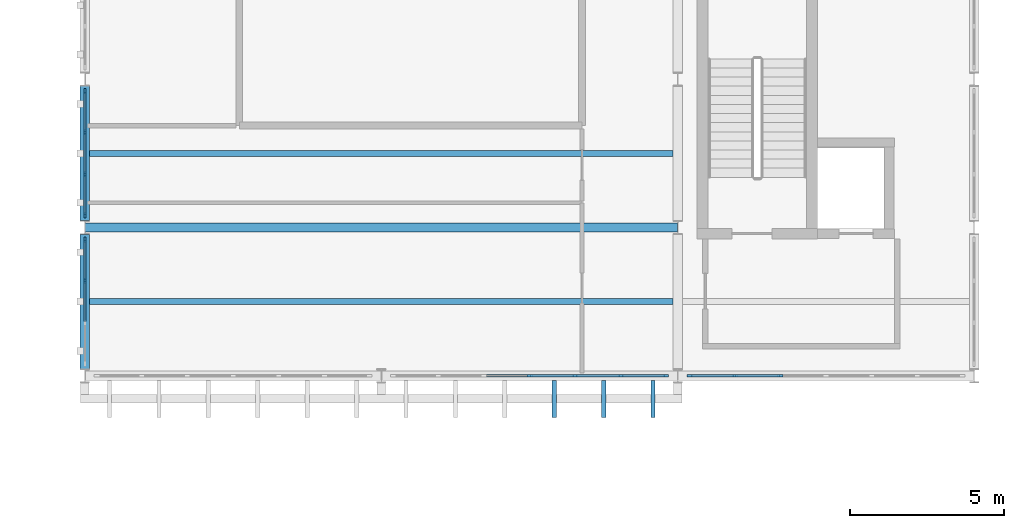
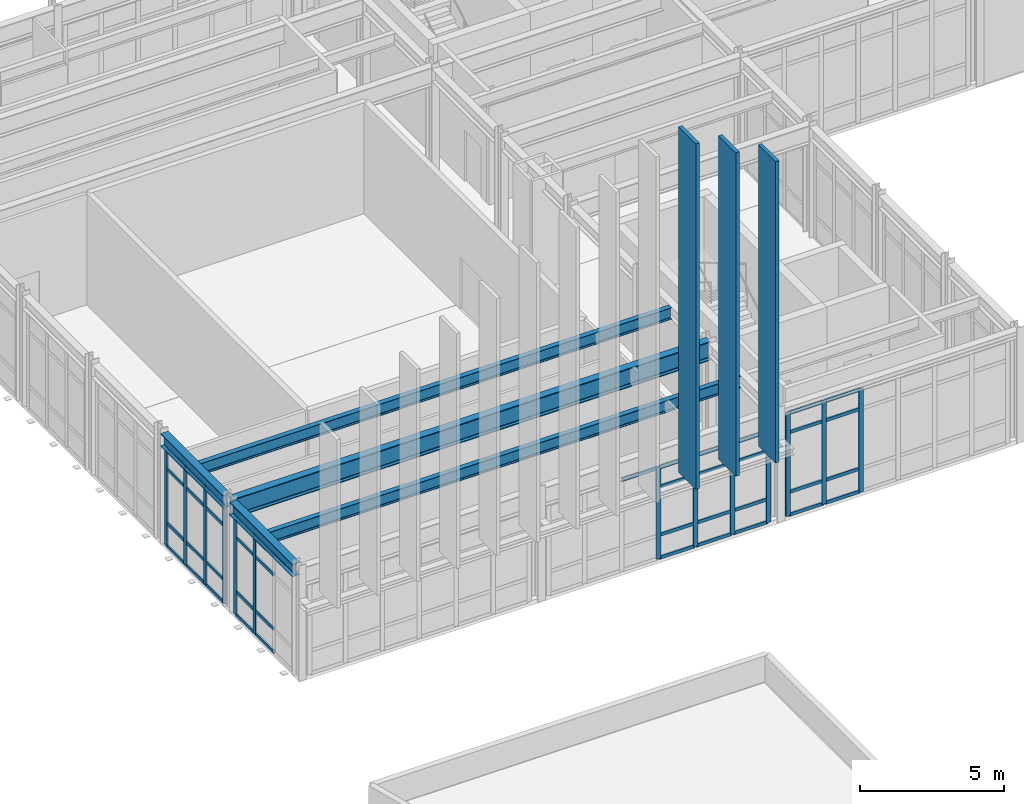
# One storey, part 4 of 28: 57 members, 5 beams, 4 elements without a shape of their own.
"""IFC4 building model written with IfcOpenShell, lengths in metres."""

from ifc_helpers import new_model, si_unit, direction, frame, origin, origin_2d, place, context, subcontext, project, spatial, rectangle, i_section, extrude, material, layer, layer_set, material_profile, profile_set, type_object, element, aggregate, save


model = new_model("IFC4")

# Units and contexts
model_context = context("Model", 3, precision=1e-05, world=origin(), true_north=direction((0.0, 1.0)))
body_context = subcontext(model_context, "Body", "Model", "MODEL_VIEW")
ifc_project = project(units=[si_unit("LENGTHUNIT", "METRE"), si_unit("AREAUNIT", "SQUARE_METRE"), si_unit("VOLUMEUNIT", "CUBIC_METRE"), si_unit("PLANEANGLEUNIT", "RADIAN"), si_unit("MASSUNIT", "GRAM", prefix="KILO")], contexts=[model_context])

# Site, building, storey
site_placement = place(None, origin())
site = spatial("IfcSite", under=ifc_project, at=site_placement, CompositionType="ELEMENT")
building_placement = place(site_placement, origin())
building = spatial("IfcBuilding", under=site, at=building_placement, Name="Nordkorset Police Headquarters", CompositionType="ELEMENT")
storey_placement = place(building_placement, frame((0.0, 0.0, 26.25)))
storey = spatial("IfcBuildingStorey", under=building, at=storey_placement, Name="L06", CompositionType="ELEMENT", Elevation=26.25)

# Beams
ifc_material_1 = material(Name="Steel S355J2", Category="steel")
ifc_material_profile_1 = material_profile(ifc_material_1, i_section(OverallWidth=0.199951171875, OverallDepth=0.5, WebThickness=0.01025390625, FlangeThickness=0.01611328125, FilletRadius=0.02099609375, at=origin_2d()), Name="IPE 500")
ifc_profile_set_1 = profile_set([ifc_material_profile_1], Name="Steel S355J2")
beam_type_1 = type_object("IfcBeamType", Name="Beam_IPE_500", PredefinedType="BEAM", material=ifc_profile_set_1)
for number, where, z_axis, x_axis, name in (
    (1, (0.14990234375, 85.60009765625, 4.4599609375), (1.0, 0.0, 0.0), (0.0, 1.0, 0.0), "Composite Floor Beam V1 L06 0-0-1"),
    (2, (0.14990234375, 90.39990234375, 4.4599609375), (1.0, 0.0, 0.0), (0.0, 1.0, 0.0), "Composite Floor Beam V1 L06 0-1-1"),
):
    element("IfcBeam", number, at=place(storey_placement, frame(where, z_axis=z_axis, x_axis=x_axis)), inside=storey, type_object=beam_type_1, Name=name, PredefinedType="BEAM", context=body_context, shape_type="SweptSolid", body=[
        extrude(i_section(OverallWidth=0.199951171875, OverallDepth=0.5, WebThickness=0.01025390625, FlangeThickness=0.01611328125, FilletRadius=0.02099609375, at=origin_2d()), origin(), (0.0, 0.0, 1.0), 18.900146484375),
    ])

# Curtain wall, members
ifc_material_2 = material(Name="Aluminium alloy AW-6060", Category="aluminium")
ifc_layer_1 = layer(ifc_material_2, 0.179931640625, Name="Aluminium alloy AW-6060")
ifc_layer_set_1 = layer_set([ifc_layer_1], Name="Aluminium alloy AW-6060")
curtain_wall_type_1 = type_object("IfcCurtainWallType", Name="CW_Unit_408x415", PredefinedType="USERDEFINED", material=ifc_layer_set_1)
curtain_wall_1_placement = place(storey_placement, origin())
curtain_wall_1 = element("IfcCurtainWall", 3, at=curtain_wall_1_placement, inside=storey, type_object=curtain_wall_type_1, Name="Unitised Curtain Wall L06 V1W-0", ObjectType="UNITISED CURTAIN WALL", PredefinedType="USERDEFINED")
ifc_material_3 = material(Name="Aluminium alloy AW-6060", Category="aluminium")
ifc_material_profile_2 = material_profile(ifc_material_3, rectangle(XDim=0.06494140625, YDim=0.179931640625, at=origin_2d()), Name="ALU MULL 65x180")
ifc_profile_set_2 = profile_set([ifc_material_profile_2], Name="Aluminium alloy AW-6060")
member_type_1 = type_object("IfcMemberType", Name="CW_Mullion_65x180", PredefinedType="MULLION", material=ifc_profile_set_2)
member_1_placement = place(storey_placement, frame((0.0, 86.280029296875, 0.0), z_axis=(0.0, 0.0, 1.0), x_axis=(-1.0, 0.0, 0.0)))
member_1 = element("IfcMember", 4, at=member_1_placement, type_object=member_type_1, Name="CW-101 mullion 3", PredefinedType="MULLION", context=body_context, shape_type="SweptSolid", body=[
    extrude(rectangle(XDim=0.06494140625, YDim=0.179931640625, at=origin_2d()), origin(), (0.0, 0.0, 1.0), 4.14990234375),
])
member_2_placement = place(storey_placement, frame((0.0, 87.607421875, 0.0), z_axis=(0.0, 0.0, 1.0), x_axis=(-1.0, 0.0, 0.0)))
member_2 = element("IfcMember", 5, at=member_2_placement, type_object=member_type_1, Name="CW-101 mullion 4", PredefinedType="MULLION", context=body_context, shape_type="SweptSolid", body=[
    extrude(rectangle(XDim=0.06494140625, YDim=0.179931640625, at=origin_2d()), origin(), (0.0, 0.0, 1.0), 4.14990234375),
])

curtain_wall_2_placement = place(storey_placement, origin())
curtain_wall_2 = element("IfcCurtainWall", 6, at=curtain_wall_2_placement, inside=storey, type_object=curtain_wall_type_1, Name="Unitised Curtain Wall L06 V1W-1", ObjectType="UNITISED CURTAIN WALL", PredefinedType="USERDEFINED")
member_3_placement = place(storey_placement, frame((0.0, 88.392578125, 0.0), z_axis=(0.0, 0.0, 1.0), x_axis=(-1.0, 0.0, 0.0)))
member_3 = element("IfcMember", 7, at=member_3_placement, type_object=member_type_1, Name="CW-101 mullion 1", PredefinedType="MULLION", context=body_context, shape_type="SweptSolid", body=[
    extrude(rectangle(XDim=0.06494140625, YDim=0.179931640625, at=origin_2d()), origin(), (0.0, 0.0, 1.0), 4.14990234375),
])
member_4_placement = place(storey_placement, frame((0.0, 89.719970703125, 0.0), z_axis=(0.0, 0.0, 1.0), x_axis=(-1.0, 0.0, 0.0)))
member_4 = element("IfcMember", 8, at=member_4_placement, type_object=member_type_1, Name="CW-101 mullion 2", PredefinedType="MULLION", context=body_context, shape_type="SweptSolid", body=[
    extrude(rectangle(XDim=0.06494140625, YDim=0.179931640625, at=origin_2d()), origin(), (0.0, 0.0, 1.0), 4.14990234375),
])
member_5_placement = place(storey_placement, frame((0.0, 91.080078125, 0.0), z_axis=(0.0, 0.0, 1.0), x_axis=(-1.0, 0.0, 0.0)))
member_5 = element("IfcMember", 9, at=member_5_placement, type_object=member_type_1, Name="CW-101 mullion 3", PredefinedType="MULLION", context=body_context, shape_type="SweptSolid", body=[
    extrude(rectangle(XDim=0.06494140625, YDim=0.179931640625, at=origin_2d()), origin(), (0.0, 0.0, 1.0), 4.14990234375),
])
member_6_placement = place(storey_placement, frame((0.0, 92.407470703125, 0.0), z_axis=(0.0, 0.0, 1.0), x_axis=(-1.0, 0.0, 0.0)))
member_6 = element("IfcMember", 10, at=member_6_placement, type_object=member_type_1, Name="CW-101 mullion 4", PredefinedType="MULLION", context=body_context, shape_type="SweptSolid", body=[
    extrude(rectangle(XDim=0.06494140625, YDim=0.179931640625, at=origin_2d()), origin(), (0.0, 0.0, 1.0), 4.14990234375),
])

ifc_material_4 = material(Name="Aluminium alloy AW-6060", Category="aluminium")
ifc_layer_2 = layer(ifc_material_4, 0.179931640625, Name="Aluminium alloy AW-6060")
ifc_layer_set_2 = layer_set([ifc_layer_2], Name="Aluminium alloy AW-6060")
curtain_wall_type_2 = type_object("IfcCurtainWallType", Name="CW_Unit_888x389", PredefinedType="USERDEFINED", material=ifc_layer_set_2)
curtain_wall_3_placement = place(storey_placement, origin())
curtain_wall_3 = element("IfcCurtainWall", 11, at=curtain_wall_3_placement, inside=storey, type_object=curtain_wall_type_2, Name="Unitised Curtain Wall L06 V1S-1", ObjectType="UNITISED CURTAIN WALL", PredefinedType="USERDEFINED")
member_7_placement = place(storey_placement, frame((14.39990234375, 83.199951171875, 0.0), z_axis=(0.0, 0.0, 1.0), x_axis=(0.0, 1.0, 0.0)))
member_7 = element("IfcMember", 12, at=member_7_placement, type_object=member_type_1, Name="CW-76 mullion 4", PredefinedType="MULLION", context=body_context, shape_type="SweptSolid", body=[
    extrude(rectangle(XDim=0.06494140625, YDim=0.179931640625, at=origin_2d()), origin(), (0.0, 0.0, 1.0), 3.889892578125),
])
member_8_placement = place(storey_placement, frame((15.8798828125, 83.199951171875, 0.0), z_axis=(0.0, 0.0, 1.0), x_axis=(0.0, 1.0, 0.0)))
member_8 = element("IfcMember", 13, at=member_8_placement, type_object=member_type_1, Name="CW-76 mullion 5", PredefinedType="MULLION", context=body_context, shape_type="SweptSolid", body=[
    extrude(rectangle(XDim=0.06494140625, YDim=0.179931640625, at=origin_2d()), origin(), (0.0, 0.0, 1.0), 3.889892578125),
])
member_9_placement = place(storey_placement, frame((17.360107421875, 83.199951171875, 0.0), z_axis=(0.0, 0.0, 1.0), x_axis=(0.0, 1.0, 0.0)))
member_9 = element("IfcMember", 14, at=member_9_placement, type_object=member_type_1, Name="CW-76 mullion 6", PredefinedType="MULLION", context=body_context, shape_type="SweptSolid", body=[
    extrude(rectangle(XDim=0.06494140625, YDim=0.179931640625, at=origin_2d()), origin(), (0.0, 0.0, 1.0), 3.889892578125),
])
member_10_placement = place(storey_placement, frame((18.8076171875, 83.199951171875, 0.0), z_axis=(0.0, 0.0, 1.0), x_axis=(0.0, 1.0, 0.0)))
member_10 = element("IfcMember", 15, at=member_10_placement, type_object=member_type_1, Name="CW-76 mullion 7", PredefinedType="MULLION", context=body_context, shape_type="SweptSolid", body=[
    extrude(rectangle(XDim=0.06494140625, YDim=0.179931640625, at=origin_2d()), origin(), (0.0, 0.0, 1.0), 3.889892578125),
])

ifc_material_5 = material(Name="Aluminium alloy AW-6060", Category="aluminium")
ifc_layer_3 = layer(ifc_material_5, 0.179931640625, Name="Aluminium alloy AW-6060")
ifc_layer_set_3 = layer_set([ifc_layer_3], Name="Aluminium alloy AW-6060")
curtain_wall_type_3 = type_object("IfcCurtainWallType", Name="CW_Unit_888x438", PredefinedType="USERDEFINED", material=ifc_layer_set_3)
curtain_wall_4_placement = place(storey_placement, origin())
curtain_wall_4 = element("IfcCurtainWall", 16, at=curtain_wall_4_placement, inside=storey, type_object=curtain_wall_type_3, Name="Unitised Curtain Wall L06 V1S-2", ObjectType="UNITISED CURTAIN WALL", PredefinedType="USERDEFINED")
member_11_placement = place(storey_placement, frame((19.592529296875, 83.199951171875, 0.0), z_axis=(0.0, 0.0, 1.0), x_axis=(0.0, 1.0, 0.0)))
member_11 = element("IfcMember", 17, at=member_11_placement, type_object=member_type_1, Name="CW-102 mullion 1", PredefinedType="MULLION", context=body_context, shape_type="SweptSolid", body=[
    extrude(rectangle(XDim=0.06494140625, YDim=0.179931640625, at=origin_2d()), origin(), (0.0, 0.0, 1.0), 4.3798828125),
])
member_12_placement = place(storey_placement, frame((21.0400390625, 83.199951171875, 0.0), z_axis=(0.0, 0.0, 1.0), x_axis=(0.0, 1.0, 0.0)))
member_12 = element("IfcMember", 18, at=member_12_placement, type_object=member_type_1, Name="CW-102 mullion 2", PredefinedType="MULLION", context=body_context, shape_type="SweptSolid", body=[
    extrude(rectangle(XDim=0.06494140625, YDim=0.179931640625, at=origin_2d()), origin(), (0.0, 0.0, 1.0), 4.3798828125),
])
member_13_placement = place(storey_placement, frame((22.52001953125, 83.199951171875, 0.0), z_axis=(0.0, 0.0, 1.0), x_axis=(0.0, 1.0, 0.0)))
member_13 = element("IfcMember", 19, at=member_13_placement, type_object=member_type_1, Name="CW-102 mullion 3", PredefinedType="MULLION", context=body_context, shape_type="SweptSolid", body=[
    extrude(rectangle(XDim=0.06494140625, YDim=0.179931640625, at=origin_2d()), origin(), (0.0, 0.0, 1.0), 4.3798828125),
])

# Member
ifc_material_6 = material(Name="Aluminium alloy AW-6060", Category="aluminium")
ifc_material_profile_3 = material_profile(ifc_material_6, rectangle(XDim=0.06494140625, YDim=0.139892578125, at=origin_2d()), Name="ALU TRAN 65x140")
ifc_profile_set_3 = profile_set([ifc_material_profile_3], Name="Aluminium alloy AW-6060")
member_type_2 = type_object("IfcMemberType", Name="CW_Transom_65x140", PredefinedType="USERDEFINED", material=ifc_profile_set_3)
member_14_placement = place(storey_placement, frame((0.0, 84.952392578125, 0.032470703125), z_axis=(0.0, 1.0, 0.0), x_axis=(-1.0, 0.0, 0.0)))
member_14 = element("IfcMember", 20, at=member_14_placement, type_object=member_type_2, Name="CW-101 transom 2.1", ObjectType="TRANSOM", PredefinedType="USERDEFINED", context=body_context, shape_type="SweptSolid", body=[
    extrude(rectangle(XDim=0.06494140625, YDim=0.139892578125, at=origin_2d()), origin(), (0.0, 0.0, 1.0), 1.295166015625),
])

member_15_placement = place(storey_placement, frame((0.0, 84.952392578125, 1.0), z_axis=(0.0, 1.0, 0.0), x_axis=(-1.0, 0.0, 0.0)))
member_15 = element("IfcMember", 21, at=member_15_placement, type_object=member_type_2, Name="CW-101 transom 2.2", ObjectType="TRANSOM", PredefinedType="USERDEFINED", context=body_context, shape_type="SweptSolid", body=[
    extrude(rectangle(XDim=0.06494140625, YDim=0.139892578125, at=origin_2d()), origin(), (0.0, 0.0, 1.0), 1.295166015625),
])

member_16_placement = place(storey_placement, frame((0.0, 84.952392578125, 3.300048828125), z_axis=(0.0, 1.0, 0.0), x_axis=(-1.0, 0.0, 0.0)))
member_16 = element("IfcMember", 22, at=member_16_placement, type_object=member_type_2, Name="CW-101 transom 2.3", ObjectType="TRANSOM", PredefinedType="USERDEFINED", context=body_context, shape_type="SweptSolid", body=[
    extrude(rectangle(XDim=0.06494140625, YDim=0.139892578125, at=origin_2d()), origin(), (0.0, 0.0, 1.0), 1.295166015625),
])

member_17_placement = place(storey_placement, frame((0.0, 84.952392578125, 4.117431640625), z_axis=(0.0, 1.0, 0.0), x_axis=(-1.0, 0.0, 0.0)))
member_17 = element("IfcMember", 23, at=member_17_placement, type_object=member_type_2, Name="CW-101 transom 2.4", ObjectType="TRANSOM", PredefinedType="USERDEFINED", context=body_context, shape_type="SweptSolid", body=[
    extrude(rectangle(XDim=0.06494140625, YDim=0.139892578125, at=origin_2d()), origin(), (0.0, 0.0, 1.0), 1.295166015625),
])

member_18_placement = place(storey_placement, frame((0.0, 86.3125, 0.032470703125), z_axis=(0.0, 1.0, 0.0), x_axis=(-1.0, 0.0, 0.0)))
member_18 = element("IfcMember", 24, at=member_18_placement, type_object=member_type_2, Name="CW-101 transom 3.1", ObjectType="TRANSOM", PredefinedType="USERDEFINED", context=body_context, shape_type="SweptSolid", body=[
    extrude(rectangle(XDim=0.06494140625, YDim=0.139892578125, at=origin_2d()), origin(), (0.0, 0.0, 1.0), 1.262451171875),
])

member_19_placement = place(storey_placement, frame((0.0, 86.3125, 1.0), z_axis=(0.0, 1.0, 0.0), x_axis=(-1.0, 0.0, 0.0)))
member_19 = element("IfcMember", 25, at=member_19_placement, type_object=member_type_2, Name="CW-101 transom 3.2", ObjectType="TRANSOM", PredefinedType="USERDEFINED", context=body_context, shape_type="SweptSolid", body=[
    extrude(rectangle(XDim=0.06494140625, YDim=0.139892578125, at=origin_2d()), origin(), (0.0, 0.0, 1.0), 1.262451171875),
])

member_20_placement = place(storey_placement, frame((0.0, 86.3125, 3.300048828125), z_axis=(0.0, 1.0, 0.0), x_axis=(-1.0, 0.0, 0.0)))
member_20 = element("IfcMember", 26, at=member_20_placement, type_object=member_type_2, Name="CW-101 transom 3.3", ObjectType="TRANSOM", PredefinedType="USERDEFINED", context=body_context, shape_type="SweptSolid", body=[
    extrude(rectangle(XDim=0.06494140625, YDim=0.139892578125, at=origin_2d()), origin(), (0.0, 0.0, 1.0), 1.262451171875),
])

member_21_placement = place(storey_placement, frame((0.0, 86.3125, 4.117431640625), z_axis=(0.0, 1.0, 0.0), x_axis=(-1.0, 0.0, 0.0)))
member_21 = element("IfcMember", 27, at=member_21_placement, type_object=member_type_2, Name="CW-101 transom 3.4", ObjectType="TRANSOM", PredefinedType="USERDEFINED", context=body_context, shape_type="SweptSolid", body=[
    extrude(rectangle(XDim=0.06494140625, YDim=0.139892578125, at=origin_2d()), origin(), (0.0, 0.0, 1.0), 1.262451171875),
])

aggregate(curtain_wall_1, [member_1, member_2, member_14, member_15, member_16, member_17, member_18, member_19, member_20, member_21])

member_22_placement = place(storey_placement, frame((0.0, 88.425048828125, 0.032470703125), z_axis=(0.0, 1.0, 0.0), x_axis=(-1.0, 0.0, 0.0)))
member_22 = element("IfcMember", 28, at=member_22_placement, type_object=member_type_2, Name="CW-101 transom 1.1", ObjectType="TRANSOM", PredefinedType="USERDEFINED", context=body_context, shape_type="SweptSolid", body=[
    extrude(rectangle(XDim=0.06494140625, YDim=0.139892578125, at=origin_2d()), origin(), (0.0, 0.0, 1.0), 1.262451171875),
])

member_23_placement = place(storey_placement, frame((0.0, 88.425048828125, 1.0), z_axis=(0.0, 1.0, 0.0), x_axis=(-1.0, 0.0, 0.0)))
member_23 = element("IfcMember", 29, at=member_23_placement, type_object=member_type_2, Name="CW-101 transom 1.2", ObjectType="TRANSOM", PredefinedType="USERDEFINED", context=body_context, shape_type="SweptSolid", body=[
    extrude(rectangle(XDim=0.06494140625, YDim=0.139892578125, at=origin_2d()), origin(), (0.0, 0.0, 1.0), 1.262451171875),
])

member_24_placement = place(storey_placement, frame((0.0, 88.425048828125, 3.300048828125), z_axis=(0.0, 1.0, 0.0), x_axis=(-1.0, 0.0, 0.0)))
member_24 = element("IfcMember", 30, at=member_24_placement, type_object=member_type_2, Name="CW-101 transom 1.3", ObjectType="TRANSOM", PredefinedType="USERDEFINED", context=body_context, shape_type="SweptSolid", body=[
    extrude(rectangle(XDim=0.06494140625, YDim=0.139892578125, at=origin_2d()), origin(), (0.0, 0.0, 1.0), 1.262451171875),
])

member_25_placement = place(storey_placement, frame((0.0, 88.425048828125, 4.117431640625), z_axis=(0.0, 1.0, 0.0), x_axis=(-1.0, 0.0, 0.0)))
member_25 = element("IfcMember", 31, at=member_25_placement, type_object=member_type_2, Name="CW-101 transom 1.4", ObjectType="TRANSOM", PredefinedType="USERDEFINED", context=body_context, shape_type="SweptSolid", body=[
    extrude(rectangle(XDim=0.06494140625, YDim=0.139892578125, at=origin_2d()), origin(), (0.0, 0.0, 1.0), 1.262451171875),
])

member_26_placement = place(storey_placement, frame((0.0, 89.75244140625, 0.032470703125), z_axis=(0.0, 1.0, 0.0), x_axis=(-1.0, 0.0, 0.0)))
member_26 = element("IfcMember", 32, at=member_26_placement, type_object=member_type_2, Name="CW-101 transom 2.1", ObjectType="TRANSOM", PredefinedType="USERDEFINED", context=body_context, shape_type="SweptSolid", body=[
    extrude(rectangle(XDim=0.06494140625, YDim=0.139892578125, at=origin_2d()), origin(), (0.0, 0.0, 1.0), 1.295166015625),
])

member_27_placement = place(storey_placement, frame((0.0, 89.75244140625, 1.0), z_axis=(0.0, 1.0, 0.0), x_axis=(-1.0, 0.0, 0.0)))
member_27 = element("IfcMember", 33, at=member_27_placement, type_object=member_type_2, Name="CW-101 transom 2.2", ObjectType="TRANSOM", PredefinedType="USERDEFINED", context=body_context, shape_type="SweptSolid", body=[
    extrude(rectangle(XDim=0.06494140625, YDim=0.139892578125, at=origin_2d()), origin(), (0.0, 0.0, 1.0), 1.295166015625),
])

member_28_placement = place(storey_placement, frame((0.0, 89.75244140625, 3.300048828125), z_axis=(0.0, 1.0, 0.0), x_axis=(-1.0, 0.0, 0.0)))
member_28 = element("IfcMember", 34, at=member_28_placement, type_object=member_type_2, Name="CW-101 transom 2.3", ObjectType="TRANSOM", PredefinedType="USERDEFINED", context=body_context, shape_type="SweptSolid", body=[
    extrude(rectangle(XDim=0.06494140625, YDim=0.139892578125, at=origin_2d()), origin(), (0.0, 0.0, 1.0), 1.295166015625),
])

member_29_placement = place(storey_placement, frame((0.0, 89.75244140625, 4.117431640625), z_axis=(0.0, 1.0, 0.0), x_axis=(-1.0, 0.0, 0.0)))
member_29 = element("IfcMember", 35, at=member_29_placement, type_object=member_type_2, Name="CW-101 transom 2.4", ObjectType="TRANSOM", PredefinedType="USERDEFINED", context=body_context, shape_type="SweptSolid", body=[
    extrude(rectangle(XDim=0.06494140625, YDim=0.139892578125, at=origin_2d()), origin(), (0.0, 0.0, 1.0), 1.295166015625),
])

member_30_placement = place(storey_placement, frame((0.0, 91.112548828125, 0.032470703125), z_axis=(0.0, 1.0, 0.0), x_axis=(-1.0, 0.0, 0.0)))
member_30 = element("IfcMember", 36, at=member_30_placement, type_object=member_type_2, Name="CW-101 transom 3.1", ObjectType="TRANSOM", PredefinedType="USERDEFINED", context=body_context, shape_type="SweptSolid", body=[
    extrude(rectangle(XDim=0.06494140625, YDim=0.139892578125, at=origin_2d()), origin(), (0.0, 0.0, 1.0), 1.262451171875),
])

member_31_placement = place(storey_placement, frame((0.0, 91.112548828125, 1.0), z_axis=(0.0, 1.0, 0.0), x_axis=(-1.0, 0.0, 0.0)))
member_31 = element("IfcMember", 37, at=member_31_placement, type_object=member_type_2, Name="CW-101 transom 3.2", ObjectType="TRANSOM", PredefinedType="USERDEFINED", context=body_context, shape_type="SweptSolid", body=[
    extrude(rectangle(XDim=0.06494140625, YDim=0.139892578125, at=origin_2d()), origin(), (0.0, 0.0, 1.0), 1.262451171875),
])

member_32_placement = place(storey_placement, frame((0.0, 91.112548828125, 3.300048828125), z_axis=(0.0, 1.0, 0.0), x_axis=(-1.0, 0.0, 0.0)))
member_32 = element("IfcMember", 38, at=member_32_placement, type_object=member_type_2, Name="CW-101 transom 3.3", ObjectType="TRANSOM", PredefinedType="USERDEFINED", context=body_context, shape_type="SweptSolid", body=[
    extrude(rectangle(XDim=0.06494140625, YDim=0.139892578125, at=origin_2d()), origin(), (0.0, 0.0, 1.0), 1.262451171875),
])

member_33_placement = place(storey_placement, frame((0.0, 91.112548828125, 4.117431640625), z_axis=(0.0, 1.0, 0.0), x_axis=(-1.0, 0.0, 0.0)))
member_33 = element("IfcMember", 39, at=member_33_placement, type_object=member_type_2, Name="CW-101 transom 3.4", ObjectType="TRANSOM", PredefinedType="USERDEFINED", context=body_context, shape_type="SweptSolid", body=[
    extrude(rectangle(XDim=0.06494140625, YDim=0.139892578125, at=origin_2d()), origin(), (0.0, 0.0, 1.0), 1.262451171875),
])

aggregate(curtain_wall_2, [member_3, member_4, member_5, member_6, member_22, member_23, member_24, member_25, member_26, member_27, member_28, member_29, member_30, member_31, member_32, member_33])

member_34_placement = place(storey_placement, frame((12.952392578125, 83.199951171875, 3.857421875), z_axis=(1.0, 0.0, 0.0), x_axis=(0.0, 1.0, 0.0)))
member_34 = element("IfcMember", 40, at=member_34_placement, type_object=member_type_2, Name="CW-76 transom 3.4", ObjectType="TRANSOM", PredefinedType="USERDEFINED", context=body_context, shape_type="SweptSolid", body=[
    extrude(rectangle(XDim=0.06494140625, YDim=0.139892578125, at=origin_2d()), origin(), (0.0, 0.0, 1.0), 1.4150390625),
])

member_35_placement = place(storey_placement, frame((14.4326171875, 83.199951171875, 0.032470703125), z_axis=(1.0, 0.0, 0.0), x_axis=(0.0, 1.0, 0.0)))
member_35 = element("IfcMember", 41, at=member_35_placement, type_object=member_type_2, Name="CW-76 transom 4.1", ObjectType="TRANSOM", PredefinedType="USERDEFINED", context=body_context, shape_type="SweptSolid", body=[
    extrude(rectangle(XDim=0.06494140625, YDim=0.139892578125, at=origin_2d()), origin(), (0.0, 0.0, 1.0), 1.414794921875),
])

member_36_placement = place(storey_placement, frame((14.4326171875, 83.199951171875, 1.0), z_axis=(1.0, 0.0, 0.0), x_axis=(0.0, 1.0, 0.0)))
member_36 = element("IfcMember", 42, at=member_36_placement, type_object=member_type_2, Name="CW-76 transom 4.2", ObjectType="TRANSOM", PredefinedType="USERDEFINED", context=body_context, shape_type="SweptSolid", body=[
    extrude(rectangle(XDim=0.06494140625, YDim=0.139892578125, at=origin_2d()), origin(), (0.0, 0.0, 1.0), 1.414794921875),
])

member_37_placement = place(storey_placement, frame((14.4326171875, 83.199951171875, 3.0400390625), z_axis=(1.0, 0.0, 0.0), x_axis=(0.0, 1.0, 0.0)))
member_37 = element("IfcMember", 43, at=member_37_placement, type_object=member_type_2, Name="CW-76 transom 4.3", ObjectType="TRANSOM", PredefinedType="USERDEFINED", context=body_context, shape_type="SweptSolid", body=[
    extrude(rectangle(XDim=0.06494140625, YDim=0.139892578125, at=origin_2d()), origin(), (0.0, 0.0, 1.0), 1.414794921875),
])

member_38_placement = place(storey_placement, frame((14.4326171875, 83.199951171875, 3.857421875), z_axis=(1.0, 0.0, 0.0), x_axis=(0.0, 1.0, 0.0)))
member_38 = element("IfcMember", 44, at=member_38_placement, type_object=member_type_2, Name="CW-76 transom 4.4", ObjectType="TRANSOM", PredefinedType="USERDEFINED", context=body_context, shape_type="SweptSolid", body=[
    extrude(rectangle(XDim=0.06494140625, YDim=0.139892578125, at=origin_2d()), origin(), (0.0, 0.0, 1.0), 1.414794921875),
])

member_39_placement = place(storey_placement, frame((15.91259765625, 83.199951171875, 0.032470703125), z_axis=(1.0, 0.0, 0.0), x_axis=(0.0, 1.0, 0.0)))
member_39 = element("IfcMember", 45, at=member_39_placement, type_object=member_type_2, Name="CW-76 transom 5.1", ObjectType="TRANSOM", PredefinedType="USERDEFINED", context=body_context, shape_type="SweptSolid", body=[
    extrude(rectangle(XDim=0.06494140625, YDim=0.139892578125, at=origin_2d()), origin(), (0.0, 0.0, 1.0), 1.414794921875),
])

member_40_placement = place(storey_placement, frame((15.91259765625, 83.199951171875, 1.0), z_axis=(1.0, 0.0, 0.0), x_axis=(0.0, 1.0, 0.0)))
member_40 = element("IfcMember", 46, at=member_40_placement, type_object=member_type_2, Name="CW-76 transom 5.2", ObjectType="TRANSOM", PredefinedType="USERDEFINED", context=body_context, shape_type="SweptSolid", body=[
    extrude(rectangle(XDim=0.06494140625, YDim=0.139892578125, at=origin_2d()), origin(), (0.0, 0.0, 1.0), 1.414794921875),
])

member_41_placement = place(storey_placement, frame((15.91259765625, 83.199951171875, 3.0400390625), z_axis=(1.0, 0.0, 0.0), x_axis=(0.0, 1.0, 0.0)))
member_41 = element("IfcMember", 47, at=member_41_placement, type_object=member_type_2, Name="CW-76 transom 5.3", ObjectType="TRANSOM", PredefinedType="USERDEFINED", context=body_context, shape_type="SweptSolid", body=[
    extrude(rectangle(XDim=0.06494140625, YDim=0.139892578125, at=origin_2d()), origin(), (0.0, 0.0, 1.0), 1.414794921875),
])

member_42_placement = place(storey_placement, frame((15.91259765625, 83.199951171875, 3.857421875), z_axis=(1.0, 0.0, 0.0), x_axis=(0.0, 1.0, 0.0)))
member_42 = element("IfcMember", 48, at=member_42_placement, type_object=member_type_2, Name="CW-76 transom 5.4", ObjectType="TRANSOM", PredefinedType="USERDEFINED", context=body_context, shape_type="SweptSolid", body=[
    extrude(rectangle(XDim=0.06494140625, YDim=0.139892578125, at=origin_2d()), origin(), (0.0, 0.0, 1.0), 1.414794921875),
])

member_43_placement = place(storey_placement, frame((17.392578125, 83.199951171875, 0.032470703125), z_axis=(1.0, 0.0, 0.0), x_axis=(0.0, 1.0, 0.0)))
member_43 = element("IfcMember", 49, at=member_43_placement, type_object=member_type_2, Name="CW-76 transom 6.1", ObjectType="TRANSOM", PredefinedType="USERDEFINED", context=body_context, shape_type="SweptSolid", body=[
    extrude(rectangle(XDim=0.06494140625, YDim=0.139892578125, at=origin_2d()), origin(), (0.0, 0.0, 1.0), 1.38232421875),
])

member_44_placement = place(storey_placement, frame((17.392578125, 83.199951171875, 1.0), z_axis=(1.0, 0.0, 0.0), x_axis=(0.0, 1.0, 0.0)))
member_44 = element("IfcMember", 50, at=member_44_placement, type_object=member_type_2, Name="CW-76 transom 6.2", ObjectType="TRANSOM", PredefinedType="USERDEFINED", context=body_context, shape_type="SweptSolid", body=[
    extrude(rectangle(XDim=0.06494140625, YDim=0.139892578125, at=origin_2d()), origin(), (0.0, 0.0, 1.0), 1.38232421875),
])

member_45_placement = place(storey_placement, frame((17.392578125, 83.199951171875, 3.0400390625), z_axis=(1.0, 0.0, 0.0), x_axis=(0.0, 1.0, 0.0)))
member_45 = element("IfcMember", 51, at=member_45_placement, type_object=member_type_2, Name="CW-76 transom 6.3", ObjectType="TRANSOM", PredefinedType="USERDEFINED", context=body_context, shape_type="SweptSolid", body=[
    extrude(rectangle(XDim=0.06494140625, YDim=0.139892578125, at=origin_2d()), origin(), (0.0, 0.0, 1.0), 1.38232421875),
])

member_46_placement = place(storey_placement, frame((17.392578125, 83.199951171875, 3.857421875), z_axis=(1.0, 0.0, 0.0), x_axis=(0.0, 1.0, 0.0)))
member_46 = element("IfcMember", 52, at=member_46_placement, type_object=member_type_2, Name="CW-76 transom 6.4", ObjectType="TRANSOM", PredefinedType="USERDEFINED", context=body_context, shape_type="SweptSolid", body=[
    extrude(rectangle(XDim=0.06494140625, YDim=0.139892578125, at=origin_2d()), origin(), (0.0, 0.0, 1.0), 1.38232421875),
])

aggregate(curtain_wall_3, [member_7, member_8, member_9, member_10, member_34, member_35, member_36, member_37, member_38, member_39, member_40, member_41, member_42, member_43, member_44, member_45, member_46])

member_47_placement = place(storey_placement, frame((19.625, 83.199951171875, 0.032470703125), z_axis=(1.0, 0.0, 0.0), x_axis=(0.0, 1.0, 0.0)))
member_47 = element("IfcMember", 53, at=member_47_placement, type_object=member_type_2, Name="CW-102 transom 1.1", ObjectType="TRANSOM", PredefinedType="USERDEFINED", context=body_context, shape_type="SweptSolid", body=[
    extrude(rectangle(XDim=0.06494140625, YDim=0.139892578125, at=origin_2d()), origin(), (0.0, 0.0, 1.0), 1.382568359375),
])

member_48_placement = place(storey_placement, frame((19.625, 83.199951171875, 1.0), z_axis=(1.0, 0.0, 0.0), x_axis=(0.0, 1.0, 0.0)))
member_48 = element("IfcMember", 54, at=member_48_placement, type_object=member_type_2, Name="CW-102 transom 1.2", ObjectType="TRANSOM", PredefinedType="USERDEFINED", context=body_context, shape_type="SweptSolid", body=[
    extrude(rectangle(XDim=0.06494140625, YDim=0.139892578125, at=origin_2d()), origin(), (0.0, 0.0, 1.0), 1.382568359375),
])

member_49_placement = place(storey_placement, frame((19.625, 83.199951171875, 3.530029296875), z_axis=(1.0, 0.0, 0.0), x_axis=(0.0, 1.0, 0.0)))
member_49 = element("IfcMember", 55, at=member_49_placement, type_object=member_type_2, Name="CW-102 transom 1.3", ObjectType="TRANSOM", PredefinedType="USERDEFINED", context=body_context, shape_type="SweptSolid", body=[
    extrude(rectangle(XDim=0.06494140625, YDim=0.139892578125, at=origin_2d()), origin(), (0.0, 0.0, 1.0), 1.382568359375),
])

member_50_placement = place(storey_placement, frame((19.625, 83.199951171875, 4.347412109375), z_axis=(1.0, 0.0, 0.0), x_axis=(0.0, 1.0, 0.0)))
member_50 = element("IfcMember", 56, at=member_50_placement, type_object=member_type_2, Name="CW-102 transom 1.4", ObjectType="TRANSOM", PredefinedType="USERDEFINED", context=body_context, shape_type="SweptSolid", body=[
    extrude(rectangle(XDim=0.06494140625, YDim=0.139892578125, at=origin_2d()), origin(), (0.0, 0.0, 1.0), 1.382568359375),
])

member_51_placement = place(storey_placement, frame((21.072509765625, 83.199951171875, 0.032470703125), z_axis=(1.0, 0.0, 0.0), x_axis=(0.0, 1.0, 0.0)))
member_51 = element("IfcMember", 57, at=member_51_placement, type_object=member_type_2, Name="CW-102 transom 2.1", ObjectType="TRANSOM", PredefinedType="USERDEFINED", context=body_context, shape_type="SweptSolid", body=[
    extrude(rectangle(XDim=0.06494140625, YDim=0.139892578125, at=origin_2d()), origin(), (0.0, 0.0, 1.0), 1.4150390625),
])

member_52_placement = place(storey_placement, frame((21.072509765625, 83.199951171875, 1.0), z_axis=(1.0, 0.0, 0.0), x_axis=(0.0, 1.0, 0.0)))
member_52 = element("IfcMember", 58, at=member_52_placement, type_object=member_type_2, Name="CW-102 transom 2.2", ObjectType="TRANSOM", PredefinedType="USERDEFINED", context=body_context, shape_type="SweptSolid", body=[
    extrude(rectangle(XDim=0.06494140625, YDim=0.139892578125, at=origin_2d()), origin(), (0.0, 0.0, 1.0), 1.4150390625),
])

member_53_placement = place(storey_placement, frame((21.072509765625, 83.199951171875, 3.530029296875), z_axis=(1.0, 0.0, 0.0), x_axis=(0.0, 1.0, 0.0)))
member_53 = element("IfcMember", 59, at=member_53_placement, type_object=member_type_2, Name="CW-102 transom 2.3", ObjectType="TRANSOM", PredefinedType="USERDEFINED", context=body_context, shape_type="SweptSolid", body=[
    extrude(rectangle(XDim=0.06494140625, YDim=0.139892578125, at=origin_2d()), origin(), (0.0, 0.0, 1.0), 1.4150390625),
])

member_54_placement = place(storey_placement, frame((21.072509765625, 83.199951171875, 4.347412109375), z_axis=(1.0, 0.0, 0.0), x_axis=(0.0, 1.0, 0.0)))
member_54 = element("IfcMember", 60, at=member_54_placement, type_object=member_type_2, Name="CW-102 transom 2.4", ObjectType="TRANSOM", PredefinedType="USERDEFINED", context=body_context, shape_type="SweptSolid", body=[
    extrude(rectangle(XDim=0.06494140625, YDim=0.139892578125, at=origin_2d()), origin(), (0.0, 0.0, 1.0), 1.4150390625),
])

aggregate(curtain_wall_4, [member_11, member_12, member_13, member_47, member_48, member_49, member_50, member_51, member_52, member_53, member_54])

# Beams
ifc_material_7 = material(Name="Steel S355J2", Category="steel")
ifc_material_profile_4 = material_profile(ifc_material_7, i_section(OverallWidth=0.300048828125, OverallDepth=0.5400390625, WebThickness=0.012451171875, FlangeThickness=0.02392578125, FilletRadius=0.027099609375, at=origin_2d()), Name="HEA 550")
ifc_profile_set_4 = profile_set([ifc_material_profile_4], Name="Steel S355J2")
beam_type_2 = type_object("IfcBeamType", Name="Girder_HEA_550", PredefinedType="USERDEFINED", material=ifc_profile_set_4)
for number, where, z_axis, x_axis, name in (
    (61, (0.0, 83.425048828125, 4.43994140625), (0.0, 1.0, 0.0), (-1.0, 0.0, 0.0), "Girder V1 L06 GY-0-0"),
    (62, (0.0, 88.22509765625, 4.43994140625), (0.0, 1.0, 0.0), (-1.0, 0.0, 0.0), "Girder V1 L06 GY-0-1"),
):
    element("IfcBeam", number, at=place(storey_placement, frame(where, z_axis=z_axis, x_axis=x_axis)), inside=storey, type_object=beam_type_2, Name=name, ObjectType="GIRDER", PredefinedType="USERDEFINED", context=body_context, shape_type="SweptSolid", body=[
        extrude(i_section(OverallWidth=0.300048828125, OverallDepth=0.5400390625, WebThickness=0.012451171875, FlangeThickness=0.02392578125, FilletRadius=0.027099609375, at=origin_2d()), origin(), (0.0, 0.0, 1.0), 4.349853515625),
    ])
ifc_material_8 = material(Name="Steel S355J2", Category="steel")
ifc_material_profile_5 = material_profile(ifc_material_8, i_section(OverallWidth=0.300048828125, OverallDepth=0.800048828125, WebThickness=0.017578125, FlangeThickness=0.032958984375, FilletRadius=0.030029296875, at=origin_2d()), Name="HEB 800")
ifc_profile_set_5 = profile_set([ifc_material_profile_5], Name="Steel S355J2")
beam_type_3 = type_object("IfcBeamType", Name="Girder_HEB_800", PredefinedType="USERDEFINED", material=ifc_profile_set_5)
beam_placement = place(storey_placement, frame((0.007080078125, 88.0, 4.31005859375), z_axis=(1.0, 0.0, 0.0), x_axis=(0.0, 1.0, 0.0)))
element("IfcBeam", 63, at=beam_placement, inside=storey, type_object=beam_type_3, Name="Girder V1 L06 GX-1-0", ObjectType="GIRDER", PredefinedType="USERDEFINED", context=body_context, shape_type="SweptSolid", body=[
    extrude(i_section(OverallWidth=0.300048828125, OverallDepth=0.800048828125, WebThickness=0.017578125, FlangeThickness=0.032958984375, FilletRadius=0.030029296875, at=origin_2d()), origin(), (0.0, 0.0, 1.0), 19.18603515625),
])

# Members
ifc_material_9 = material(Name="Glulam GL30c", Category="wood")
ifc_material_profile_6 = material_profile(ifc_material_9, rectangle(XDim=0.139892578125, YDim=1.199951171875, at=origin_2d()), Name="GL30C FIN 140x1200")
ifc_profile_set_6 = profile_set([ifc_material_profile_6], Name="Glulam GL30c")
member_type_3 = type_object("IfcMemberType", Name="Member_GlulamFin_140x1200", PredefinedType="USERDEFINED", material=ifc_profile_set_6)
member_55_placement = place(storey_placement, frame((15.199951171875, 82.449951171875, 3.485107421875), z_axis=(0.0, 0.0, 1.0), x_axis=(1.0, 0.0, 0.0)))
element("IfcMember", 64, at=member_55_placement, inside=storey, type_object=member_type_3, Name="Vertical Glulam Gable Fin South 062", ObjectType="VERTICAL TIMBER FIN", PredefinedType="USERDEFINED", context=body_context, shape_type="SweptSolid", body=[
    extrude(rectangle(XDim=0.139892578125, YDim=1.199951171875, at=origin_2d()), origin(), (0.0, 0.0, 1.0), 14.660400390625),
])
member_56_placement = place(storey_placement, frame((16.800048828125, 82.449951171875, 3.485107421875), z_axis=(0.0, 0.0, 1.0), x_axis=(1.0, 0.0, 0.0)))
element("IfcMember", 65, at=member_56_placement, inside=storey, type_object=member_type_3, Name="Vertical Glulam Gable Fin South 064", ObjectType="VERTICAL TIMBER FIN", PredefinedType="USERDEFINED", context=body_context, shape_type="SweptSolid", body=[
    extrude(rectangle(XDim=0.139892578125, YDim=1.199951171875, at=origin_2d()), origin(), (0.0, 0.0, 1.0), 13.7216796875),
])
member_57_placement = place(storey_placement, frame((18.39990234375, 82.449951171875, 3.485107421875), z_axis=(0.0, 0.0, 1.0), x_axis=(1.0, 0.0, 0.0)))
element("IfcMember", 66, at=member_57_placement, inside=storey, type_object=member_type_3, Name="Vertical Glulam Gable Fin South 066", ObjectType="VERTICAL TIMBER FIN", PredefinedType="USERDEFINED", context=body_context, shape_type="SweptSolid", body=[
    extrude(rectangle(XDim=0.139892578125, YDim=1.199951171875, at=origin_2d()), origin(), (0.0, 0.0, 1.0), 12.78271484375),
])

save(model, "model.ifc")
